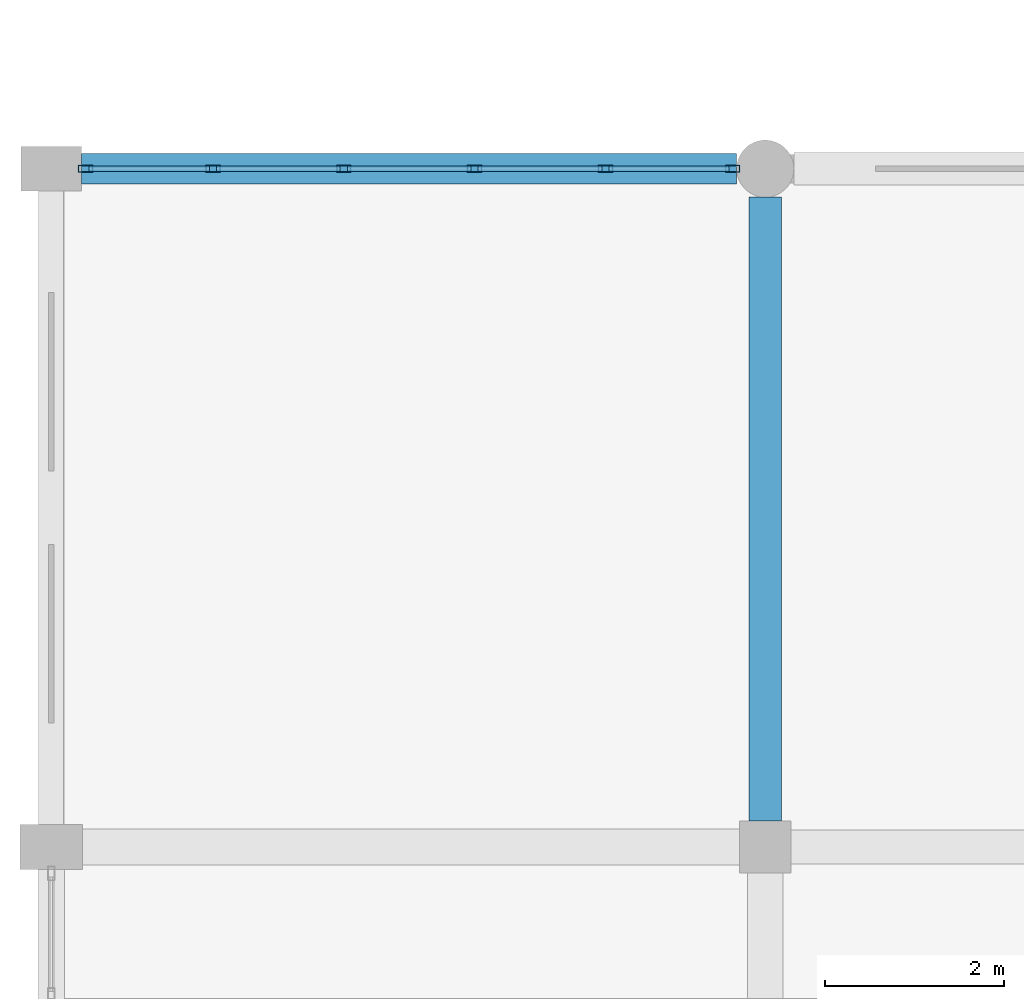
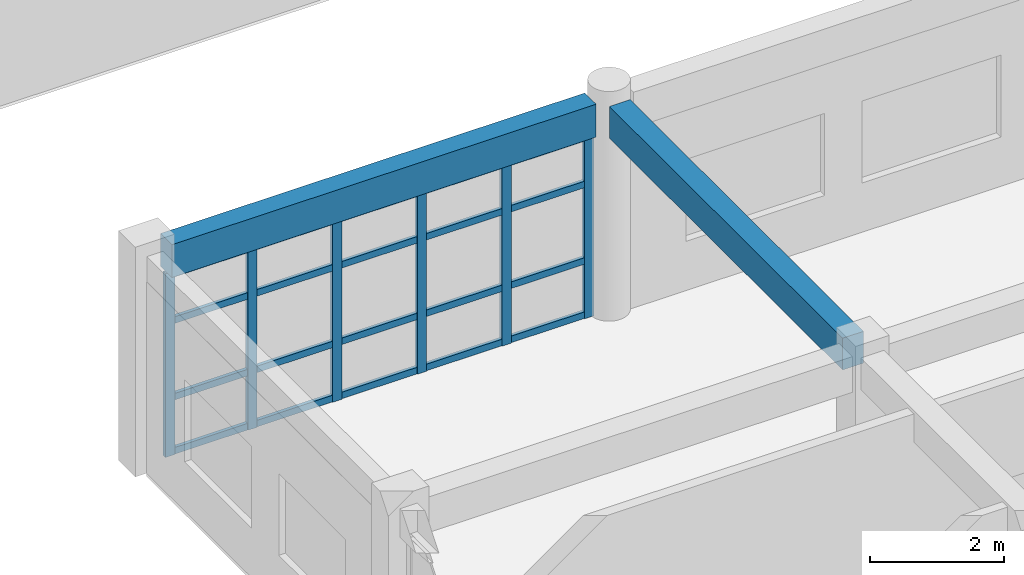
# One storey, part 15 of 121: 26 members, 2 beams, 1 element without a shape of its own.
"""IFC4 building model written with IfcOpenShell, lengths in metres."""

from ifc_helpers import new_model, si_unit, direction, frame, origin, origin_2d, place, context, subcontext, project, spatial, rectangle, hollow_rectangle, extrude, material, material_profile, profile_set, type_object, element, aggregate, save


model = new_model("IFC4")

# Units and contexts
model_context = context("Model", 3, precision=1e-05, world=origin(), true_north=direction((0.0, 1.0)))
body_context = subcontext(model_context, "Body", "Model", "MODEL_VIEW")
ifc_project = project(units=[si_unit("LENGTHUNIT", "METRE"), si_unit("AREAUNIT", "SQUARE_METRE"), si_unit("VOLUMEUNIT", "CUBIC_METRE"), si_unit("PLANEANGLEUNIT", "RADIAN"), si_unit("MASSUNIT", "GRAM", prefix="KILO")], contexts=[model_context])

# Site, building, storey
site_placement = place(None, origin())
site = spatial("IfcSite", under=ifc_project, at=site_placement, CompositionType="ELEMENT")
building_placement = place(site_placement, origin())
building = spatial("IfcBuilding", under=site, at=building_placement, Name="Kharva Crest Polytechnic", CompositionType="ELEMENT")
storey_placement = place(building_placement, frame((0.0, 0.0, 13.199951171875)))
storey = spatial("IfcBuildingStorey", under=building, at=storey_placement, Name="L03", CompositionType="ELEMENT", Elevation=13.199951171875)

# Beam
ifc_material_1 = material(Name="Concrete C35/45", Category="concrete")
ifc_material_profile_1 = material_profile(ifc_material_1, rectangle(XDim=0.360107421875, YDim=0.580078125, at=origin_2d()), Name="RECT 360 X 580")
ifc_profile_set_1 = profile_set([ifc_material_profile_1], Name="Concrete C35/45")
beam_type_1 = type_object("IfcBeamType", Name="BM-RC-360X580", PredefinedType="BEAM", material=ifc_profile_set_1)
beam_1_placement = place(storey_placement, frame((8.0, 23.090087890625, 3.670166015625), z_axis=(0.0, 1.0, 0.0), x_axis=(-1.0, 0.0, 0.0)))
element("IfcBeam", 1, at=beam_1_placement, inside=storey, type_object=beam_type_1, Name="L03 Girder 2/D-E", PredefinedType="BEAM", context=body_context, shape_type="SweptSolid", body=[
    extrude(rectangle(XDim=0.360107421875, YDim=0.580078125, at=origin_2d()), origin(), (0.0, 0.0, 1.0), 6.989990234375),
])

# Curtain wall, members
ifc_material_2 = material(Name="Tempered insulated glass", Category="glass")
curtain_wall_type = type_object("IfcCurtainWallType", Name="CW-SYS-COURT", PredefinedType="USERDEFINED", material=ifc_material_2)
curtain_wall_placement = place(storey_placement, origin())
curtain_wall = element("IfcCurtainWall", 2, at=curtain_wall_placement, inside=storey, type_object=curtain_wall_type, Name="L03 Glazed Curtain Wall CW-132", ObjectType="CURTAIN WALL", PredefinedType="USERDEFINED")
ifc_material_3 = material(Name="Steel S355", Category="steel")
ifc_material_profile_2 = material_profile(ifc_material_3, hollow_rectangle(XDim=0.080078125, YDim=0.159912109375, WallThickness=0.0048828125, at=origin_2d()), Name="RHS 160X80X5.0")
ifc_profile_set_2 = profile_set([ifc_material_profile_2], Name="Steel S355")
member_type_1 = type_object("IfcMemberType", Name="CWM-RHS160X80", PredefinedType="MULLION", material=ifc_profile_set_2)
member_1_placement = place(storey_placement, frame((7.635009765625, 30.39990234375, 0.0), z_axis=(0.0, 0.0, 1.0), x_axis=(0.0, -1.0, 0.0)))
member_1 = element("IfcMember", 3, at=member_1_placement, type_object=member_type_1, Name="CW-132 mullion 1", PredefinedType="MULLION", context=body_context, shape_type="SweptSolid", body=[
    extrude(hollow_rectangle(XDim=0.080078125, YDim=0.159912109375, WallThickness=0.0048828125, at=origin_2d()), origin(), (0.0, 0.0, 1.0), 3.360107421875),
])
member_2_placement = place(storey_placement, frame((6.208984375, 30.39990234375, 0.0), z_axis=(0.0, 0.0, 1.0), x_axis=(0.0, -1.0, 0.0)))
member_2 = element("IfcMember", 4, at=member_2_placement, type_object=member_type_1, Name="CW-132 mullion 2", PredefinedType="MULLION", context=body_context, shape_type="SweptSolid", body=[
    extrude(hollow_rectangle(XDim=0.080078125, YDim=0.159912109375, WallThickness=0.0048828125, at=origin_2d()), origin(), (0.0, 0.0, 1.0), 3.360107421875),
])
member_3_placement = place(storey_placement, frame((4.742919921875, 30.39990234375, 0.0), z_axis=(0.0, 0.0, 1.0), x_axis=(0.0, -1.0, 0.0)))
member_3 = element("IfcMember", 5, at=member_3_placement, type_object=member_type_1, Name="CW-132 mullion 3", PredefinedType="MULLION", context=body_context, shape_type="SweptSolid", body=[
    extrude(hollow_rectangle(XDim=0.080078125, YDim=0.159912109375, WallThickness=0.0048828125, at=origin_2d()), origin(), (0.0, 0.0, 1.0), 3.360107421875),
])
member_4_placement = place(storey_placement, frame((3.277099609375, 30.39990234375, 0.0), z_axis=(0.0, 0.0, 1.0), x_axis=(0.0, -1.0, 0.0)))
member_4 = element("IfcMember", 6, at=member_4_placement, type_object=member_type_1, Name="CW-132 mullion 4", PredefinedType="MULLION", context=body_context, shape_type="SweptSolid", body=[
    extrude(hollow_rectangle(XDim=0.080078125, YDim=0.159912109375, WallThickness=0.0048828125, at=origin_2d()), origin(), (0.0, 0.0, 1.0), 3.360107421875),
])
member_5_placement = place(storey_placement, frame((1.81103515625, 30.39990234375, 0.0), z_axis=(0.0, 0.0, 1.0), x_axis=(0.0, -1.0, 0.0)))
member_5 = element("IfcMember", 7, at=member_5_placement, type_object=member_type_1, Name="CW-132 mullion 5", PredefinedType="MULLION", context=body_context, shape_type="SweptSolid", body=[
    extrude(hollow_rectangle(XDim=0.080078125, YDim=0.159912109375, WallThickness=0.0048828125, at=origin_2d()), origin(), (0.0, 0.0, 1.0), 3.360107421875),
])
member_6_placement = place(storey_placement, frame((0.385009765625, 30.39990234375, 0.0), z_axis=(0.0, 0.0, 1.0), x_axis=(0.0, -1.0, 0.0)))
member_6 = element("IfcMember", 8, at=member_6_placement, type_object=member_type_1, Name="CW-132 mullion 6", PredefinedType="MULLION", context=body_context, shape_type="SweptSolid", body=[
    extrude(hollow_rectangle(XDim=0.080078125, YDim=0.159912109375, WallThickness=0.0048828125, at=origin_2d()), origin(), (0.0, 0.0, 1.0), 3.360107421875),
])
ifc_material_profile_3 = material_profile(ifc_material_3, hollow_rectangle(XDim=0.06005859375, YDim=0.1201171875, WallThickness=0.00390625, at=origin_2d()), Name="RHS 120X60X4.0")
ifc_profile_set_3 = profile_set([ifc_material_profile_3], Name="Steel S355")
member_type_2 = type_object("IfcMemberType", Name="CWT-RHS120X60", PredefinedType="USERDEFINED", material=ifc_profile_set_3)
member_7_placement = place(storey_placement, frame((7.594970703125, 30.39990234375, 0.06005859375), z_axis=(-1.0, 0.0, 0.0), x_axis=(0.0, -1.0, 0.0)))
member_7 = element("IfcMember", 9, at=member_7_placement, type_object=member_type_2, Name="CW-132 transom 1.1", ObjectType="TRANSOM", PredefinedType="USERDEFINED", context=body_context, shape_type="SweptSolid", body=[
    extrude(hollow_rectangle(XDim=0.06005859375, YDim=0.1201171875, WallThickness=0.00390625, at=origin_2d()), origin(), (0.0, 0.0, 1.0), 1.345947265625),
])
member_8_placement = place(storey_placement, frame((7.594970703125, 30.39990234375, 1.050048828125), z_axis=(-1.0, 0.0, 0.0), x_axis=(0.0, -1.0, 0.0)))
member_8 = element("IfcMember", 10, at=member_8_placement, type_object=member_type_2, Name="CW-132 transom 1.2", ObjectType="TRANSOM", PredefinedType="USERDEFINED", context=body_context, shape_type="SweptSolid", body=[
    extrude(hollow_rectangle(XDim=0.06005859375, YDim=0.1201171875, WallThickness=0.00390625, at=origin_2d()), origin(), (0.0, 0.0, 1.0), 1.345947265625),
])
member_9_placement = place(storey_placement, frame((7.594970703125, 30.39990234375, 2.449951171875), z_axis=(-1.0, 0.0, 0.0), x_axis=(0.0, -1.0, 0.0)))
member_9 = element("IfcMember", 11, at=member_9_placement, type_object=member_type_2, Name="CW-132 transom 1.3", ObjectType="TRANSOM", PredefinedType="USERDEFINED", context=body_context, shape_type="SweptSolid", body=[
    extrude(hollow_rectangle(XDim=0.06005859375, YDim=0.1201171875, WallThickness=0.00390625, at=origin_2d()), origin(), (0.0, 0.0, 1.0), 1.345947265625),
])
member_10_placement = place(storey_placement, frame((7.594970703125, 30.39990234375, 3.300048828125), z_axis=(-1.0, 0.0, 0.0), x_axis=(0.0, -1.0, 0.0)))
member_10 = element("IfcMember", 12, at=member_10_placement, type_object=member_type_2, Name="CW-132 transom 1.4", ObjectType="TRANSOM", PredefinedType="USERDEFINED", context=body_context, shape_type="SweptSolid", body=[
    extrude(hollow_rectangle(XDim=0.06005859375, YDim=0.1201171875, WallThickness=0.00390625, at=origin_2d()), origin(), (0.0, 0.0, 1.0), 1.345947265625),
])
member_11_placement = place(storey_placement, frame((6.1689453125, 30.39990234375, 0.06005859375), z_axis=(-1.0, 0.0, 0.0), x_axis=(0.0, -1.0, 0.0)))
member_11 = element("IfcMember", 13, at=member_11_placement, type_object=member_type_2, Name="CW-132 transom 2.1", ObjectType="TRANSOM", PredefinedType="USERDEFINED", context=body_context, shape_type="SweptSolid", body=[
    extrude(hollow_rectangle(XDim=0.06005859375, YDim=0.1201171875, WallThickness=0.00390625, at=origin_2d()), origin(), (0.0, 0.0, 1.0), 1.385986328125),
])
member_12_placement = place(storey_placement, frame((6.1689453125, 30.39990234375, 1.050048828125), z_axis=(-1.0, 0.0, 0.0), x_axis=(0.0, -1.0, 0.0)))
member_12 = element("IfcMember", 14, at=member_12_placement, type_object=member_type_2, Name="CW-132 transom 2.2", ObjectType="TRANSOM", PredefinedType="USERDEFINED", context=body_context, shape_type="SweptSolid", body=[
    extrude(hollow_rectangle(XDim=0.06005859375, YDim=0.1201171875, WallThickness=0.00390625, at=origin_2d()), origin(), (0.0, 0.0, 1.0), 1.385986328125),
])
member_13_placement = place(storey_placement, frame((6.1689453125, 30.39990234375, 2.449951171875), z_axis=(-1.0, 0.0, 0.0), x_axis=(0.0, -1.0, 0.0)))
member_13 = element("IfcMember", 15, at=member_13_placement, type_object=member_type_2, Name="CW-132 transom 2.3", ObjectType="TRANSOM", PredefinedType="USERDEFINED", context=body_context, shape_type="SweptSolid", body=[
    extrude(hollow_rectangle(XDim=0.06005859375, YDim=0.1201171875, WallThickness=0.00390625, at=origin_2d()), origin(), (0.0, 0.0, 1.0), 1.385986328125),
])
member_14_placement = place(storey_placement, frame((6.1689453125, 30.39990234375, 3.300048828125), z_axis=(-1.0, 0.0, 0.0), x_axis=(0.0, -1.0, 0.0)))
member_14 = element("IfcMember", 16, at=member_14_placement, type_object=member_type_2, Name="CW-132 transom 2.4", ObjectType="TRANSOM", PredefinedType="USERDEFINED", context=body_context, shape_type="SweptSolid", body=[
    extrude(hollow_rectangle(XDim=0.06005859375, YDim=0.1201171875, WallThickness=0.00390625, at=origin_2d()), origin(), (0.0, 0.0, 1.0), 1.385986328125),
])
member_15_placement = place(storey_placement, frame((4.702880859375, 30.39990234375, 0.06005859375), z_axis=(-1.0, 0.0, 0.0), x_axis=(0.0, -1.0, 0.0)))
member_15 = element("IfcMember", 17, at=member_15_placement, type_object=member_type_2, Name="CW-132 transom 3.1", ObjectType="TRANSOM", PredefinedType="USERDEFINED", context=body_context, shape_type="SweptSolid", body=[
    extrude(hollow_rectangle(XDim=0.06005859375, YDim=0.1201171875, WallThickness=0.00390625, at=origin_2d()), origin(), (0.0, 0.0, 1.0), 1.385986328125),
])
member_16_placement = place(storey_placement, frame((4.702880859375, 30.39990234375, 1.050048828125), z_axis=(-1.0, 0.0, 0.0), x_axis=(0.0, -1.0, 0.0)))
member_16 = element("IfcMember", 18, at=member_16_placement, type_object=member_type_2, Name="CW-132 transom 3.2", ObjectType="TRANSOM", PredefinedType="USERDEFINED", context=body_context, shape_type="SweptSolid", body=[
    extrude(hollow_rectangle(XDim=0.06005859375, YDim=0.1201171875, WallThickness=0.00390625, at=origin_2d()), origin(), (0.0, 0.0, 1.0), 1.385986328125),
])
member_17_placement = place(storey_placement, frame((4.702880859375, 30.39990234375, 2.449951171875), z_axis=(-1.0, 0.0, 0.0), x_axis=(0.0, -1.0, 0.0)))
member_17 = element("IfcMember", 19, at=member_17_placement, type_object=member_type_2, Name="CW-132 transom 3.3", ObjectType="TRANSOM", PredefinedType="USERDEFINED", context=body_context, shape_type="SweptSolid", body=[
    extrude(hollow_rectangle(XDim=0.06005859375, YDim=0.1201171875, WallThickness=0.00390625, at=origin_2d()), origin(), (0.0, 0.0, 1.0), 1.385986328125),
])
member_18_placement = place(storey_placement, frame((4.702880859375, 30.39990234375, 3.300048828125), z_axis=(-1.0, 0.0, 0.0), x_axis=(0.0, -1.0, 0.0)))
member_18 = element("IfcMember", 20, at=member_18_placement, type_object=member_type_2, Name="CW-132 transom 3.4", ObjectType="TRANSOM", PredefinedType="USERDEFINED", context=body_context, shape_type="SweptSolid", body=[
    extrude(hollow_rectangle(XDim=0.06005859375, YDim=0.1201171875, WallThickness=0.00390625, at=origin_2d()), origin(), (0.0, 0.0, 1.0), 1.385986328125),
])
member_19_placement = place(storey_placement, frame((3.237060546875, 30.39990234375, 0.06005859375), z_axis=(-1.0, 0.0, 0.0), x_axis=(0.0, -1.0, 0.0)))
member_19 = element("IfcMember", 21, at=member_19_placement, type_object=member_type_2, Name="CW-132 transom 4.1", ObjectType="TRANSOM", PredefinedType="USERDEFINED", context=body_context, shape_type="SweptSolid", body=[
    extrude(hollow_rectangle(XDim=0.06005859375, YDim=0.1201171875, WallThickness=0.00390625, at=origin_2d()), origin(), (0.0, 0.0, 1.0), 1.385986328125),
])
member_20_placement = place(storey_placement, frame((3.237060546875, 30.39990234375, 1.050048828125), z_axis=(-1.0, 0.0, 0.0), x_axis=(0.0, -1.0, 0.0)))
member_20 = element("IfcMember", 22, at=member_20_placement, type_object=member_type_2, Name="CW-132 transom 4.2", ObjectType="TRANSOM", PredefinedType="USERDEFINED", context=body_context, shape_type="SweptSolid", body=[
    extrude(hollow_rectangle(XDim=0.06005859375, YDim=0.1201171875, WallThickness=0.00390625, at=origin_2d()), origin(), (0.0, 0.0, 1.0), 1.385986328125),
])
member_21_placement = place(storey_placement, frame((3.237060546875, 30.39990234375, 2.449951171875), z_axis=(-1.0, 0.0, 0.0), x_axis=(0.0, -1.0, 0.0)))
member_21 = element("IfcMember", 23, at=member_21_placement, type_object=member_type_2, Name="CW-132 transom 4.3", ObjectType="TRANSOM", PredefinedType="USERDEFINED", context=body_context, shape_type="SweptSolid", body=[
    extrude(hollow_rectangle(XDim=0.06005859375, YDim=0.1201171875, WallThickness=0.00390625, at=origin_2d()), origin(), (0.0, 0.0, 1.0), 1.385986328125),
])
member_22_placement = place(storey_placement, frame((3.237060546875, 30.39990234375, 3.300048828125), z_axis=(-1.0, 0.0, 0.0), x_axis=(0.0, -1.0, 0.0)))
member_22 = element("IfcMember", 24, at=member_22_placement, type_object=member_type_2, Name="CW-132 transom 4.4", ObjectType="TRANSOM", PredefinedType="USERDEFINED", context=body_context, shape_type="SweptSolid", body=[
    extrude(hollow_rectangle(XDim=0.06005859375, YDim=0.1201171875, WallThickness=0.00390625, at=origin_2d()), origin(), (0.0, 0.0, 1.0), 1.385986328125),
])
member_23_placement = place(storey_placement, frame((1.77099609375, 30.39990234375, 0.06005859375), z_axis=(-1.0, 0.0, 0.0), x_axis=(0.0, -1.0, 0.0)))
member_23 = element("IfcMember", 25, at=member_23_placement, type_object=member_type_2, Name="CW-132 transom 5.1", ObjectType="TRANSOM", PredefinedType="USERDEFINED", context=body_context, shape_type="SweptSolid", body=[
    extrude(hollow_rectangle(XDim=0.06005859375, YDim=0.1201171875, WallThickness=0.00390625, at=origin_2d()), origin(), (0.0, 0.0, 1.0), 1.345947265625),
])
member_24_placement = place(storey_placement, frame((1.77099609375, 30.39990234375, 1.050048828125), z_axis=(-1.0, 0.0, 0.0), x_axis=(0.0, -1.0, 0.0)))
member_24 = element("IfcMember", 26, at=member_24_placement, type_object=member_type_2, Name="CW-132 transom 5.2", ObjectType="TRANSOM", PredefinedType="USERDEFINED", context=body_context, shape_type="SweptSolid", body=[
    extrude(hollow_rectangle(XDim=0.06005859375, YDim=0.1201171875, WallThickness=0.00390625, at=origin_2d()), origin(), (0.0, 0.0, 1.0), 1.345947265625),
])
member_25_placement = place(storey_placement, frame((1.77099609375, 30.39990234375, 2.449951171875), z_axis=(-1.0, 0.0, 0.0), x_axis=(0.0, -1.0, 0.0)))
member_25 = element("IfcMember", 27, at=member_25_placement, type_object=member_type_2, Name="CW-132 transom 5.3", ObjectType="TRANSOM", PredefinedType="USERDEFINED", context=body_context, shape_type="SweptSolid", body=[
    extrude(hollow_rectangle(XDim=0.06005859375, YDim=0.1201171875, WallThickness=0.00390625, at=origin_2d()), origin(), (0.0, 0.0, 1.0), 1.345947265625),
])
member_26_placement = place(storey_placement, frame((1.77099609375, 30.39990234375, 3.300048828125), z_axis=(-1.0, 0.0, 0.0), x_axis=(0.0, -1.0, 0.0)))
member_26 = element("IfcMember", 28, at=member_26_placement, type_object=member_type_2, Name="CW-132 transom 5.4", ObjectType="TRANSOM", PredefinedType="USERDEFINED", context=body_context, shape_type="SweptSolid", body=[
    extrude(hollow_rectangle(XDim=0.06005859375, YDim=0.1201171875, WallThickness=0.00390625, at=origin_2d()), origin(), (0.0, 0.0, 1.0), 1.345947265625),
])
aggregate(curtain_wall, [member_1, member_2, member_3, member_4, member_5, member_6, member_7, member_8, member_9, member_10, member_11, member_12, member_13, member_14, member_15, member_16, member_17, member_18, member_19, member_20, member_21, member_22, member_23, member_24, member_25, member_26])

# Beam
ifc_material_profile_4 = material_profile(ifc_material_1, rectangle(XDim=0.340087890625, YDim=0.60009765625, at=origin_2d()), Name="RECT 340 X 600")
ifc_profile_set_4 = profile_set([ifc_material_profile_4], Name="Concrete C35/45")
beam_type_2 = type_object("IfcBeamType", Name="SP-RC-340X600", PredefinedType="SPANDREL", material=ifc_profile_set_4)
beam_2_placement = place(storey_placement, frame((0.340087890625, 30.39990234375, 3.66015625), z_axis=(1.0, 0.0, 0.0), x_axis=(0.0, 1.0, 0.0)))
element("IfcBeam", 29, at=beam_2_placement, inside=storey, type_object=beam_type_2, Name="L03 Beam E/1-2", PredefinedType="SPANDREL", context=body_context, shape_type="SweptSolid", body=[
    extrude(rectangle(XDim=0.340087890625, YDim=0.60009765625, at=origin_2d()), origin(), (0.0, 0.0, 1.0), 7.33984375),
])

save(model, "model.ifc")
